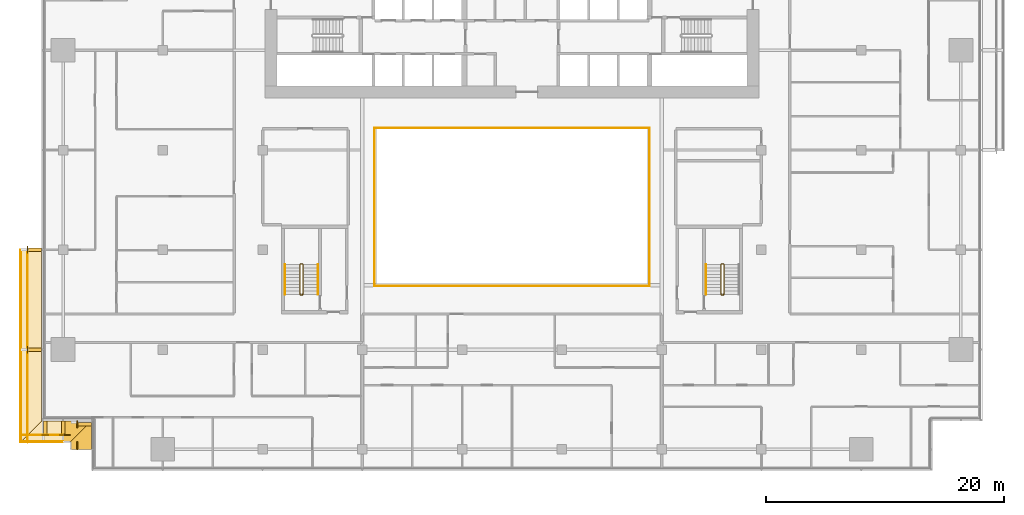
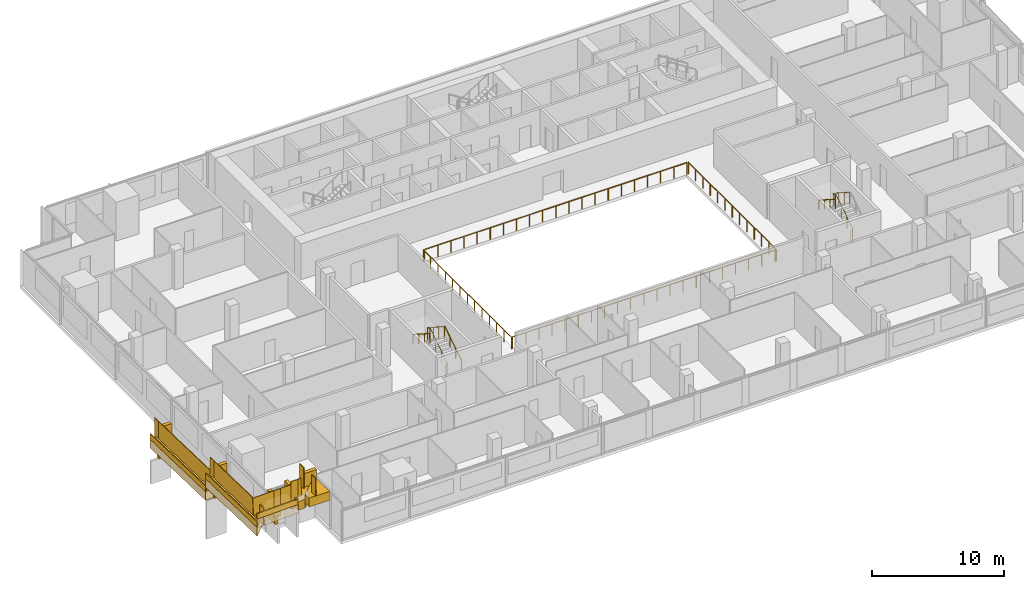
# One storey, part 23 of 27: 19 railings, 13 coverings.
"""IFC4 building model written with IfcOpenShell, lengths in metres."""

import ifcopenshell
import ifcopenshell.guid

model = None  # the IFC model being written
_history = None  # IfcOwnerHistory: only IFC2X3 demands one
_inside = {}  # id of a spatial element -> (the spatial element, [elements in it])
_under = {}  # id of a project, library or spatial element -> (it, [spatial elements below it])
_declared = {}  # id of a project -> (the project, [libraries it declares])
_typed = {}  # id of a type object -> (the type object, [elements of that type])
_made_of = {}  # id of a material, layer set ... -> (it, [elements and type objects made of it])


def new_model(schema):
    """Start an empty IFC model of exactly this schema.

    Asked for "IFC4X3", IfcOpenShell would pick the latest addendum, in which some entities
    have other attributes; the version numbers below select the first issue.
    IFC2X3 requires an IfcOwnerHistory on every rooted entity: one is made here for all.
    """
    global model, _history
    if schema == "IFC4X3":
        model = ifcopenshell.file(schema_version=(4, 3, 0, 0))
    else:
        model = ifcopenshell.file(schema=schema)
    _inside.clear()
    _under.clear()
    _declared.clear()
    _typed.clear()
    _made_of.clear()
    _history = None
    if model.schema == "IFC2X3":
        org = make("IfcOrganization", Name="unknown")
        user = make(
            "IfcPersonAndOrganization",
            ThePerson=make("IfcPerson", FamilyName="unknown"),
            TheOrganization=org,
        )
        app = make(
            "IfcApplication",
            ApplicationDeveloper=org,
            Version="unknown",
            ApplicationFullName="unknown",
            ApplicationIdentifier="unknown",
        )
        _history = make(
            "IfcOwnerHistory",
            OwningUser=user,
            OwningApplication=app,
            ChangeAction="ADDED",
            CreationDate=0,
        )
    return model


def make(cls, **values):
    """One entity of the class cls with the attributes given. An attribute that is None is left unset."""
    return model.create_entity(
        cls, **{name: value for name, value in values.items() if value is not None}
    )


def rooted(cls, **values):
    """An entity with a GlobalId (a new one), such as an element, a storey or a relation."""
    return make(cls, GlobalId=ifcopenshell.guid.new(), OwnerHistory=_history, **values)


def si_unit(unit_type, name, prefix=None):
    """IfcSIUnit, for example si_unit("LENGTHUNIT", "METRE", prefix="MILLI")."""
    return make("IfcSIUnit", UnitType=unit_type, Prefix=prefix, Name=name)


def assignment(units):
    """IfcUnitAssignment: the units of a project."""
    return None if units is None else make("IfcUnitAssignment", Units=units)


def point(xyz):
    """IfcCartesianPoint."""
    return None if xyz is None else make("IfcCartesianPoint", Coordinates=xyz)


def direction(xyz):
    """IfcDirection."""
    return None if xyz is None else make("IfcDirection", DirectionRatios=xyz)


def frame(location, z_axis=None, x_axis=None):
    """IfcAxis2Placement3D, a coordinate frame: its origin and axes. An axis left out is left unset."""
    return make(
        "IfcAxis2Placement3D",
        Location=point(location),
        Axis=direction(z_axis),
        RefDirection=direction(x_axis),
    )


def frame_2d(location, x_axis=None):
    """IfcAxis2Placement2D, a coordinate frame in the plane: its origin and x axis."""
    return make(
        "IfcAxis2Placement2D", Location=point(location), RefDirection=direction(x_axis)
    )


def origin():
    """The frame at (0, 0, 0) with its axes left unset."""
    return frame((0.0, 0.0, 0.0))


def origin_2d():
    """The frame at (0, 0) in the plane with its x axis left unset."""
    return frame_2d((0.0, 0.0))


def place(relative_to, where):
    """IfcLocalPlacement: puts the frame where relative to a parent placement (None: the world)."""
    return make(
        "IfcLocalPlacement", PlacementRelTo=relative_to, RelativePlacement=where
    )


def context(
    kind, dimensions, precision=None, world=None, true_north=None, identifier=None
):
    """IfcGeometricRepresentationContext, for example the 3D "Model" context."""
    return make(
        "IfcGeometricRepresentationContext",
        ContextIdentifier=identifier,
        ContextType=kind,
        CoordinateSpaceDimension=dimensions,
        Precision=precision,
        WorldCoordinateSystem=world,
        TrueNorth=true_north,
    )


def subcontext(parent, identifier, kind, view, scale=None):
    """IfcGeometricRepresentationSubContext, for example "Body" below "Model"."""
    return make(
        "IfcGeometricRepresentationSubContext",
        ContextIdentifier=identifier,
        ContextType=kind,
        ParentContext=parent,
        TargetScale=scale,
        TargetView=view,
    )


def project(units=None, contexts=None):
    """IfcProject with its units and contexts."""
    return rooted(
        "IfcProject",
        Name="project",
        RepresentationContexts=contexts,
        UnitsInContext=assignment(units),
    )


def spatial(cls, under=None, at=None, **own):
    """A site, building, storey or space (cls), placed at a placement, below another one or the project."""
    s = rooted(cls, ObjectPlacement=at, **own)
    if under is not None:
        _under.setdefault(under.id(), (under, []))[1].append(s)
    return s


def polyline(points):
    """IfcPolyline through the points."""
    return make("IfcPolyline", Points=[point(p) for p in points])


def profile(cls, at=None, kind="AREA", **sizes):
    """A parametric profile (cls). Its sizes go by their IFC names, for example OverallWidth=200.0."""
    return make(cls, ProfileType=kind, Position=at, **sizes)


def rectangle(**sizes):
    """IfcRectangleProfileDef."""
    return profile("IfcRectangleProfileDef", **sizes)


def circle(**sizes):
    """IfcCircleProfileDef."""
    return profile("IfcCircleProfileDef", **sizes)


def outline(outer, holes=None, kind="AREA"):
    """IfcArbitraryClosedProfileDef: a profile drawn as a closed curve; with holes, ...WithVoids."""
    if holes is None:
        return make("IfcArbitraryClosedProfileDef", ProfileType=kind, OuterCurve=outer)
    return make(
        "IfcArbitraryProfileDefWithVoids",
        ProfileType=kind,
        OuterCurve=outer,
        InnerCurves=holes,
    )


def extrude(swept, where, along, depth):
    """IfcExtrudedAreaSolid: the profile swept, set in the frame where, extruded along a direction by depth."""
    return make(
        "IfcExtrudedAreaSolid",
        SweptArea=swept,
        Position=where,
        ExtrudedDirection=direction(along),
        Depth=depth,
    )


def shape(context_of_items, identifier, shape_type, items):
    """IfcShapeRepresentation: the items that make up one representation, for example the "Body"."""
    return make(
        "IfcShapeRepresentation",
        ContextOfItems=context_of_items,
        RepresentationIdentifier=identifier,
        RepresentationType=shape_type,
        Items=items,
    )


def material(Name=None, Category=None):
    """IfcMaterial."""
    return make("IfcMaterial", Name=Name, Category=Category)


def layer(
    of_material, thickness, ventilated=None, Name=None, Category=None, Priority=None
):
    """IfcMaterialLayer: one layer of a wall or slab, of a material (None: an air gap)."""
    return make(
        "IfcMaterialLayer",
        Material=of_material,
        LayerThickness=thickness,
        IsVentilated=ventilated,
        Name=Name,
        Category=Category,
        Priority=Priority,
    )


def layer_set(layers, Name=None):
    """IfcMaterialLayerSet."""
    return make("IfcMaterialLayerSet", MaterialLayers=layers, LayerSetName=Name)


def made_of(thing, what):
    """Note that an element or type object is made of a material, layer set ...; save() writes the relation."""
    if what is not None:
        _made_of.setdefault(what.id(), (what, []))[1].append(thing)
    return thing


def type_object(cls, material=None, **own):
    """A type object (cls), such as IfcWallType, which elements share."""
    return made_of(rooted(cls, **own), material)


def element(
    cls,
    number,
    at=None,
    inside=None,
    cuts=None,
    type_object=None,
    material=None,
    context=None,
    identifier="Body",
    shape_type=None,
    held_by="IfcProductDefinitionShape",
    body=None,
    shapes=None,
    **own,
):
    """One element of the class cls, such as IfcWall. Its Tag is "e" and its number.

    at: its placement. inside: the storey or other place that contains it. cuts: it is an
    opening in that element (IfcRelVoidsElement). A single representation is given by context,
    identifier, shape_type and body (its items); several are given by shapes. held_by: the class
    of the entity that holds the representations. save() writes the other relations.
    """
    e = rooted(cls, Tag="e%d" % number, ObjectPlacement=at, **own)
    if body is not None:
        shapes = [shape(context, identifier, shape_type, body)]
    if shapes is not None:
        e.Representation = make(held_by, Representations=shapes)
    if inside is not None:
        _inside.setdefault(inside.id(), (inside, []))[1].append(e)
    if cuts is not None:
        rooted(
            "IfcRelVoidsElement", RelatingBuildingElement=cuts, RelatedOpeningElement=e
        )
    if type_object is not None:
        _typed.setdefault(type_object.id(), (type_object, []))[1].append(e)
    return made_of(e, material)


def aggregate(whole, parts):
    """IfcRelAggregates: a whole, such as a stair, and the parts it consists of."""
    return rooted("IfcRelAggregates", RelatingObject=whole, RelatedObjects=parts)


def save(model, path):
    """Write the relations noted so far, then the file.

    IfcRelAggregates (storeys below a building ...), IfcRelContainedInSpatialStructure (elements
    in a storey), IfcRelDefinesByType, IfcRelAssociatesMaterial and IfcRelDeclares: one each for
    every whole, place, type object, material and project.
    """
    for whole, parts in _under.values():
        aggregate(whole, parts)
    for where, things in _inside.values():
        rooted(
            "IfcRelContainedInSpatialStructure",
            RelatedElements=things,
            RelatingStructure=where,
        )
    for kind, things in _typed.values():
        rooted("IfcRelDefinesByType", RelatedObjects=things, RelatingType=kind)
    for what, things in _made_of.values():
        rooted("IfcRelAssociatesMaterial", RelatedObjects=things, RelatingMaterial=what)
    for by, libraries in _declared.values():
        rooted("IfcRelDeclares", RelatingContext=by, RelatedDefinitions=libraries)
    model.write(path)


model = new_model("IFC4")

# Units and contexts
model_context = context("Model", 3, precision=1e-05, world=origin(), true_north=direction((0.0, 1.0)))
body_context = subcontext(model_context, "Body", "Model", "MODEL_VIEW")
ifc_project = project(units=[si_unit("LENGTHUNIT", "METRE"), si_unit("AREAUNIT", "SQUARE_METRE"), si_unit("VOLUMEUNIT", "CUBIC_METRE"), si_unit("PLANEANGLEUNIT", "RADIAN"), si_unit("MASSUNIT", "GRAM", prefix="KILO")], contexts=[model_context])

# Site, building, storey
site_placement = place(None, origin())
site = spatial("IfcSite", under=ifc_project, at=site_placement, CompositionType="ELEMENT")
building_placement = place(site_placement, origin())
building = spatial("IfcBuilding", under=site, at=building_placement, Name="Saffron Gate Tower", CompositionType="ELEMENT")
storey_placement = place(building_placement, frame((0.0, 0.0, 134.85009765625)))
storey = spatial("IfcBuildingStorey", under=building, at=storey_placement, Name="L32", CompositionType="ELEMENT", Elevation=134.85009765625)

# Railings
ifc_material_1 = material(Name="Stainless steel and laminated glass", Category="steel")
railing_type_1 = type_object("IfcRailingType", Name="AG1 Atrium edge guard 1100", PredefinedType="GUARDRAIL", material=ifc_material_1)
railing_1_placement = place(storey_placement, frame((76.02001953125, 45.5400390625, 0.0)))
element("IfcRailing", 1, at=railing_1_placement, inside=storey, type_object=railing_type_1, Name="Guard B4-1", PredefinedType="GUARDRAIL", context=body_context, shape_type="SweptSolid", body=[
    extrude(circle(Radius=0.02392578125, at=origin_2d()), frame((0.0, 0.0, 1.076171875), z_axis=(0.0, 1.0, 0.0), x_axis=(-1.0, 0.0, 0.0)), (0.0, 0.0, 1.0), 13.320068359375),
    extrude(circle(Radius=0.02099609375, at=origin_2d()), origin(), (0.0, 0.0, 1.0), 1.052001953125),
    extrude(circle(Radius=0.02099609375, at=origin_2d()), frame((0.0, 1.110107421875, 0.0)), (0.0, 0.0, 1.0), 1.052001953125),
    extrude(circle(Radius=0.02099609375, at=origin_2d()), frame((0.0, 2.219970703125, 0.0)), (0.0, 0.0, 1.0), 1.052001953125),
    extrude(circle(Radius=0.02099609375, at=origin_2d()), frame((0.0, 3.330078125, 0.0)), (0.0, 0.0, 1.0), 1.052001953125),
    extrude(circle(Radius=0.02099609375, at=origin_2d()), frame((0.0, 4.43994140625, 0.0)), (0.0, 0.0, 1.0), 1.052001953125),
    extrude(circle(Radius=0.02099609375, at=origin_2d()), frame((0.0, 5.550048828125, 0.0)), (0.0, 0.0, 1.0), 1.052001953125),
    extrude(circle(Radius=0.02099609375, at=origin_2d()), frame((0.0, 6.66015625, 0.0)), (0.0, 0.0, 1.0), 1.052001953125),
    extrude(circle(Radius=0.02099609375, at=origin_2d()), frame((0.0, 7.77001953125, 0.0)), (0.0, 0.0, 1.0), 1.052001953125),
    extrude(circle(Radius=0.02099609375, at=origin_2d()), frame((0.0, 8.880126953125, 0.0)), (0.0, 0.0, 1.0), 1.052001953125),
    extrude(circle(Radius=0.02099609375, at=origin_2d()), frame((0.0, 9.989990234375, 0.0)), (0.0, 0.0, 1.0), 1.052001953125),
    extrude(circle(Radius=0.02099609375, at=origin_2d()), frame((0.0, 11.10009765625, 0.0)), (0.0, 0.0, 1.0), 1.052001953125),
    extrude(circle(Radius=0.02099609375, at=origin_2d()), frame((0.0, 12.2099609375, 0.0)), (0.0, 0.0, 1.0), 1.052001953125),
    extrude(circle(Radius=0.02099609375, at=origin_2d()), frame((0.0, 13.320068359375, 0.0)), (0.0, 0.0, 1.0), 1.052001953125),
])
railing_2_placement = place(storey_placement, frame((76.139892578125, 58.860107421875, 0.0)))
element("IfcRailing", 2, at=railing_2_placement, inside=storey, type_object=railing_type_1, Name="Guard B4-2", PredefinedType="GUARDRAIL", context=body_context, shape_type="SweptSolid", body=[
    extrude(circle(Radius=0.02392578125, at=origin_2d()), frame((0.0, 0.0, 1.076171875), z_axis=(1.0, 0.0, 0.0), x_axis=(0.0, 1.0, 0.0)), (0.0, 0.0, 1.0), 22.920166015625),
    extrude(circle(Radius=0.02099609375, at=origin_2d()), origin(), (0.0, 0.0, 1.0), 1.052001953125),
    extrude(circle(Radius=0.02099609375, at=origin_2d()), frame((1.14599609375, 0.0, 0.0)), (0.0, 0.0, 1.0), 1.052001953125),
    extrude(circle(Radius=0.02099609375, at=origin_2d()), frame((2.2919921875, 0.0, 0.0)), (0.0, 0.0, 1.0), 1.052001953125),
    extrude(circle(Radius=0.02099609375, at=origin_2d()), frame((3.43798828125, 0.0, 0.0)), (0.0, 0.0, 1.0), 1.052001953125),
    extrude(circle(Radius=0.02099609375, at=origin_2d()), frame((4.583984375, 0.0, 0.0)), (0.0, 0.0, 1.0), 1.052001953125),
    extrude(circle(Radius=0.02099609375, at=origin_2d()), frame((5.72998046875, 0.0, 0.0)), (0.0, 0.0, 1.0), 1.052001953125),
    extrude(circle(Radius=0.02099609375, at=origin_2d()), frame((6.8759765625, 0.0, 0.0)), (0.0, 0.0, 1.0), 1.052001953125),
    extrude(circle(Radius=0.02099609375, at=origin_2d()), frame((8.02197265625, 0.0, 0.0)), (0.0, 0.0, 1.0), 1.052001953125),
    extrude(circle(Radius=0.02099609375, at=origin_2d()), frame((9.16796875, 0.0, 0.0)), (0.0, 0.0, 1.0), 1.052001953125),
    extrude(circle(Radius=0.02099609375, at=origin_2d()), frame((10.31396484375, 0.0, 0.0)), (0.0, 0.0, 1.0), 1.052001953125),
    extrude(circle(Radius=0.02099609375, at=origin_2d()), frame((11.4599609375, 0.0, 0.0)), (0.0, 0.0, 1.0), 1.052001953125),
    extrude(circle(Radius=0.02099609375, at=origin_2d()), frame((12.606201171875, 0.0, 0.0)), (0.0, 0.0, 1.0), 1.052001953125),
    extrude(circle(Radius=0.02099609375, at=origin_2d()), frame((13.752197265625, 0.0, 0.0)), (0.0, 0.0, 1.0), 1.052001953125),
    extrude(circle(Radius=0.02099609375, at=origin_2d()), frame((14.898193359375, 0.0, 0.0)), (0.0, 0.0, 1.0), 1.052001953125),
    extrude(circle(Radius=0.02099609375, at=origin_2d()), frame((16.044189453125, 0.0, 0.0)), (0.0, 0.0, 1.0), 1.052001953125),
    extrude(circle(Radius=0.02099609375, at=origin_2d()), frame((17.190185546875, 0.0, 0.0)), (0.0, 0.0, 1.0), 1.052001953125),
    extrude(circle(Radius=0.02099609375, at=origin_2d()), frame((18.336181640625, 0.0, 0.0)), (0.0, 0.0, 1.0), 1.052001953125),
    extrude(circle(Radius=0.02099609375, at=origin_2d()), frame((19.482177734375, 0.0, 0.0)), (0.0, 0.0, 1.0), 1.052001953125),
    extrude(circle(Radius=0.02099609375, at=origin_2d()), frame((20.628173828125, 0.0, 0.0)), (0.0, 0.0, 1.0), 1.052001953125),
    extrude(circle(Radius=0.02099609375, at=origin_2d()), frame((21.774169921875, 0.0, 0.0)), (0.0, 0.0, 1.0), 1.052001953125),
    extrude(circle(Radius=0.02099609375, at=origin_2d()), frame((22.920166015625, 0.0, 0.0)), (0.0, 0.0, 1.0), 1.052001953125),
])
railing_3_placement = place(storey_placement, frame((99.179931640625, 58.860107421875, 0.0)))
element("IfcRailing", 3, at=railing_3_placement, inside=storey, type_object=railing_type_1, Name="Guard B4-3", PredefinedType="GUARDRAIL", context=body_context, shape_type="SweptSolid", body=[
    extrude(circle(Radius=0.02392578125, at=origin_2d()), frame((0.0, 0.0, 1.076171875), z_axis=(0.0, -1.0, 0.0), x_axis=(1.0, 0.0, 0.0)), (0.0, 0.0, 1.0), 13.320068359375),
    extrude(circle(Radius=0.02099609375, at=origin_2d()), origin(), (0.0, 0.0, 1.0), 1.052001953125),
    extrude(circle(Radius=0.02099609375, at=origin_2d()), frame((0.0, -1.110107421875, 0.0)), (0.0, 0.0, 1.0), 1.052001953125),
    extrude(circle(Radius=0.02099609375, at=origin_2d()), frame((0.0, -2.219970703125, 0.0)), (0.0, 0.0, 1.0), 1.052001953125),
    extrude(circle(Radius=0.02099609375, at=origin_2d()), frame((0.0, -3.330078125, 0.0)), (0.0, 0.0, 1.0), 1.052001953125),
    extrude(circle(Radius=0.02099609375, at=origin_2d()), frame((0.0, -4.43994140625, 0.0)), (0.0, 0.0, 1.0), 1.052001953125),
    extrude(circle(Radius=0.02099609375, at=origin_2d()), frame((0.0, -5.550048828125, 0.0)), (0.0, 0.0, 1.0), 1.052001953125),
    extrude(circle(Radius=0.02099609375, at=origin_2d()), frame((0.0, -6.66015625, 0.0)), (0.0, 0.0, 1.0), 1.052001953125),
    extrude(circle(Radius=0.02099609375, at=origin_2d()), frame((0.0, -7.77001953125, 0.0)), (0.0, 0.0, 1.0), 1.052001953125),
    extrude(circle(Radius=0.02099609375, at=origin_2d()), frame((0.0, -8.880126953125, 0.0)), (0.0, 0.0, 1.0), 1.052001953125),
    extrude(circle(Radius=0.02099609375, at=origin_2d()), frame((0.0, -9.989990234375, 0.0)), (0.0, 0.0, 1.0), 1.052001953125),
    extrude(circle(Radius=0.02099609375, at=origin_2d()), frame((0.0, -11.10009765625, 0.0)), (0.0, 0.0, 1.0), 1.052001953125),
    extrude(circle(Radius=0.02099609375, at=origin_2d()), frame((0.0, -12.2099609375, 0.0)), (0.0, 0.0, 1.0), 1.052001953125),
    extrude(circle(Radius=0.02099609375, at=origin_2d()), frame((0.0, -13.320068359375, 0.0)), (0.0, 0.0, 1.0), 1.052001953125),
])
railing_4_placement = place(storey_placement, frame((99.06005859375, 45.5400390625, 0.0)))
element("IfcRailing", 4, at=railing_4_placement, inside=storey, type_object=railing_type_1, Name="Guard B4-4", PredefinedType="GUARDRAIL", context=body_context, shape_type="SweptSolid", body=[
    extrude(circle(Radius=0.02392578125, at=origin_2d()), frame((0.0, 0.0, 1.076171875), z_axis=(-1.0, 0.0, 0.0), x_axis=(0.0, -1.0, 0.0)), (0.0, 0.0, 1.0), 22.920166015625),
    extrude(circle(Radius=0.02099609375, at=origin_2d()), origin(), (0.0, 0.0, 1.0), 1.052001953125),
    extrude(circle(Radius=0.02099609375, at=origin_2d()), frame((-1.14599609375, 0.0, 0.0)), (0.0, 0.0, 1.0), 1.052001953125),
    extrude(circle(Radius=0.02099609375, at=origin_2d()), frame((-2.2919921875, 0.0, 0.0)), (0.0, 0.0, 1.0), 1.052001953125),
    extrude(circle(Radius=0.02099609375, at=origin_2d()), frame((-3.43798828125, 0.0, 0.0)), (0.0, 0.0, 1.0), 1.052001953125),
    extrude(circle(Radius=0.02099609375, at=origin_2d()), frame((-4.583984375, 0.0, 0.0)), (0.0, 0.0, 1.0), 1.052001953125),
    extrude(circle(Radius=0.02099609375, at=origin_2d()), frame((-5.72998046875, 0.0, 0.0)), (0.0, 0.0, 1.0), 1.052001953125),
    extrude(circle(Radius=0.02099609375, at=origin_2d()), frame((-6.8759765625, 0.0, 0.0)), (0.0, 0.0, 1.0), 1.052001953125),
    extrude(circle(Radius=0.02099609375, at=origin_2d()), frame((-8.02197265625, 0.0, 0.0)), (0.0, 0.0, 1.0), 1.052001953125),
    extrude(circle(Radius=0.02099609375, at=origin_2d()), frame((-9.16796875, 0.0, 0.0)), (0.0, 0.0, 1.0), 1.052001953125),
    extrude(circle(Radius=0.02099609375, at=origin_2d()), frame((-10.31396484375, 0.0, 0.0)), (0.0, 0.0, 1.0), 1.052001953125),
    extrude(circle(Radius=0.02099609375, at=origin_2d()), frame((-11.4599609375, 0.0, 0.0)), (0.0, 0.0, 1.0), 1.052001953125),
    extrude(circle(Radius=0.02099609375, at=origin_2d()), frame((-12.606201171875, 0.0, 0.0)), (0.0, 0.0, 1.0), 1.052001953125),
    extrude(circle(Radius=0.02099609375, at=origin_2d()), frame((-13.752197265625, 0.0, 0.0)), (0.0, 0.0, 1.0), 1.052001953125),
    extrude(circle(Radius=0.02099609375, at=origin_2d()), frame((-14.898193359375, 0.0, 0.0)), (0.0, 0.0, 1.0), 1.052001953125),
    extrude(circle(Radius=0.02099609375, at=origin_2d()), frame((-16.044189453125, 0.0, 0.0)), (0.0, 0.0, 1.0), 1.052001953125),
    extrude(circle(Radius=0.02099609375, at=origin_2d()), frame((-17.190185546875, 0.0, 0.0)), (0.0, 0.0, 1.0), 1.052001953125),
    extrude(circle(Radius=0.02099609375, at=origin_2d()), frame((-18.336181640625, 0.0, 0.0)), (0.0, 0.0, 1.0), 1.052001953125),
    extrude(circle(Radius=0.02099609375, at=origin_2d()), frame((-19.482177734375, 0.0, 0.0)), (0.0, 0.0, 1.0), 1.052001953125),
    extrude(circle(Radius=0.02099609375, at=origin_2d()), frame((-20.628173828125, 0.0, 0.0)), (0.0, 0.0, 1.0), 1.052001953125),
    extrude(circle(Radius=0.02099609375, at=origin_2d()), frame((-21.774169921875, 0.0, 0.0)), (0.0, 0.0, 1.0), 1.052001953125),
    extrude(circle(Radius=0.02099609375, at=origin_2d()), frame((-22.920166015625, 0.0, 0.0)), (0.0, 0.0, 1.0), 1.052001953125),
])
railing_type_2 = type_object("IfcRailingType", Name="CR1 Stair guard 1100", PredefinedType="GUARDRAIL", material=ifc_material_1)
railing_5_placement = place(storey_placement, frame((69.800048828125, 44.800048828125, 0.0)))
element("IfcRailing", 5, at=railing_5_placement, inside=storey, type_object=railing_type_2, Name="L32 ST-D stair guard 1", PredefinedType="GUARDRAIL", context=body_context, shape_type="SweptSolid", body=[
    extrude(circle(Radius=0.02392578125, at=origin_2d()), frame((0.0, 0.0, 1.076171875), z_axis=(1.0, 0.0, 0.0), x_axis=(0.0, 1.0, 0.0)), (0.0, 0.0, 1.0), 0.14990234375),
    extrude(circle(Radius=0.02392578125, at=origin_2d()), frame((0.14990234375, 0.0, 1.076171875), z_axis=(0.258847668887, 0.258847668887, 0.930588936439), x_axis=(-0.707106781187, 0.707106781187, 0.0)), (0.0, 0.0, 1.0), 0.193359375),
    extrude(circle(Radius=0.02392578125, at=origin_2d()), frame((0.199951171875, 0.050048828125, 1.255859375), z_axis=(0.0, 0.841199657755, 0.540724639528), x_axis=(-1.0, 0.0, 0.0)), (0.0, 0.0, 1.0), 2.995849609375),
    extrude(circle(Radius=0.02392578125, at=origin_2d()), frame((0.199951171875, 2.570068359375, 2.8759765625), z_axis=(-0.708833529934, 0.705375805398, 0.0), x_axis=(-0.705375805398, -0.708833529934, 0.0)), (0.0, 0.0, 1.0), 0.070556640625),
    extrude(circle(Radius=0.02392578125, at=origin_2d()), frame((0.14990234375, 2.619873046875, 2.8759765625), z_axis=(-1.0, 0.0, 0.0), x_axis=(0.0, -1.0, 0.0)), (0.0, 0.0, 1.0), 0.14990234375),
    extrude(circle(Radius=0.02392578125, at=origin_2d()), frame((0.0, 2.619873046875, 2.8759765625), z_axis=(-0.258627984543, -0.257366384619, 0.931060744355), x_axis=(0.705375805398, -0.708833529934, 0.0)), (0.0, 0.0, 1.0), 0.193603515625),
    extrude(circle(Radius=0.02392578125, at=origin_2d()), frame((-0.050048828125, 2.570068359375, 3.05615234375), z_axis=(0.0, -0.841199657755, 0.540724639528), x_axis=(1.0, 0.0, 0.0)), (0.0, 0.0, 1.0), 2.995849609375),
    extrude(circle(Radius=0.02099609375, at=origin_2d()), origin(), (0.0, 0.0, 1.0), 1.052001953125),
    extrude(circle(Radius=0.02099609375, at=origin_2d()), frame((0.14990234375, 0.0, 0.0)), (0.0, 0.0, 1.0), 1.052001953125),
    extrude(circle(Radius=0.02099609375, at=origin_2d()), frame((0.199951171875, 0.050048828125, 0.179931640625)), (0.0, 0.0, 1.0), 1.052001953125),
    extrude(circle(Radius=0.02099609375, at=origin_2d()), frame((0.199951171875, 0.89013671875, 0.719970703125)), (0.0, 0.0, 1.0), 1.052001953125),
    extrude(circle(Radius=0.02099609375, at=origin_2d()), frame((0.199951171875, 1.72998046875, 1.259765625)), (0.0, 0.0, 1.0), 1.052001953125),
    extrude(circle(Radius=0.02099609375, at=origin_2d()), frame((0.199951171875, 2.570068359375, 1.7998046875)), (0.0, 0.0, 1.0), 1.052001953125),
    extrude(circle(Radius=0.02099609375, at=origin_2d()), frame((0.14990234375, 2.619873046875, 1.7998046875)), (0.0, 0.0, 1.0), 1.052001953125),
    extrude(circle(Radius=0.02099609375, at=origin_2d()), frame((0.0, 2.619873046875, 1.7998046875)), (0.0, 0.0, 1.0), 1.052001953125),
    extrude(circle(Radius=0.02099609375, at=origin_2d()), frame((-0.050048828125, 2.570068359375, 1.97998046875)), (0.0, 0.0, 1.0), 1.052001953125),
    extrude(circle(Radius=0.02099609375, at=origin_2d()), frame((-0.050048828125, 1.72998046875, 2.52001953125)), (0.0, 0.0, 1.0), 1.052001953125),
    extrude(circle(Radius=0.02099609375, at=origin_2d()), frame((-0.050048828125, 0.89013671875, 3.059814453125)), (0.0, 0.0, 1.0), 1.052001953125),
    extrude(circle(Radius=0.02099609375, at=origin_2d()), frame((-0.050048828125, 0.050048828125, 3.599853515625)), (0.0, 0.0, 1.0), 1.052001953125),
])
railing_6_placement = place(storey_placement, frame((105.25, 44.800048828125, 0.0)))
element("IfcRailing", 6, at=railing_6_placement, inside=storey, type_object=railing_type_2, Name="L32 ST-E stair guard 1", PredefinedType="GUARDRAIL", context=body_context, shape_type="SweptSolid", body=[
    extrude(circle(Radius=0.02392578125, at=origin_2d()), frame((0.0, 0.0, 1.076171875), z_axis=(1.0, 0.0, 0.0), x_axis=(0.0, 1.0, 0.0)), (0.0, 0.0, 1.0), 0.14990234375),
    extrude(circle(Radius=0.02392578125, at=origin_2d()), frame((0.14990234375, 0.0, 1.076171875), z_axis=(0.258847668887, 0.258847668887, 0.930588936439), x_axis=(-0.707106781187, 0.707106781187, 0.0)), (0.0, 0.0, 1.0), 0.193359375),
    extrude(circle(Radius=0.02392578125, at=origin_2d()), frame((0.199951171875, 0.050048828125, 1.255859375), z_axis=(0.0, 0.841199657755, 0.540724639528), x_axis=(-1.0, 0.0, 0.0)), (0.0, 0.0, 1.0), 2.995849609375),
    extrude(circle(Radius=0.02392578125, at=origin_2d()), frame((0.199951171875, 2.570068359375, 2.8759765625), z_axis=(-0.708833529934, 0.705375805398, 0.0), x_axis=(-0.705375805398, -0.708833529934, 0.0)), (0.0, 0.0, 1.0), 0.070556640625),
    extrude(circle(Radius=0.02392578125, at=origin_2d()), frame((0.14990234375, 2.619873046875, 2.8759765625), z_axis=(-1.0, 0.0, 0.0), x_axis=(0.0, -1.0, 0.0)), (0.0, 0.0, 1.0), 0.14990234375),
    extrude(circle(Radius=0.02392578125, at=origin_2d()), frame((0.0, 2.619873046875, 2.8759765625), z_axis=(-0.258627984543, -0.257366384619, 0.931060744355), x_axis=(0.705375805398, -0.708833529934, 0.0)), (0.0, 0.0, 1.0), 0.193603515625),
    extrude(circle(Radius=0.02392578125, at=origin_2d()), frame((-0.050048828125, 2.570068359375, 3.05615234375), z_axis=(0.0, -0.841199657755, 0.540724639528), x_axis=(1.0, 0.0, 0.0)), (0.0, 0.0, 1.0), 2.995849609375),
    extrude(circle(Radius=0.02099609375, at=origin_2d()), origin(), (0.0, 0.0, 1.0), 1.052001953125),
    extrude(circle(Radius=0.02099609375, at=origin_2d()), frame((0.14990234375, 0.0, 0.0)), (0.0, 0.0, 1.0), 1.052001953125),
    extrude(circle(Radius=0.02099609375, at=origin_2d()), frame((0.199951171875, 0.050048828125, 0.179931640625)), (0.0, 0.0, 1.0), 1.052001953125),
    extrude(circle(Radius=0.02099609375, at=origin_2d()), frame((0.199951171875, 0.89013671875, 0.719970703125)), (0.0, 0.0, 1.0), 1.052001953125),
    extrude(circle(Radius=0.02099609375, at=origin_2d()), frame((0.199951171875, 1.72998046875, 1.259765625)), (0.0, 0.0, 1.0), 1.052001953125),
    extrude(circle(Radius=0.02099609375, at=origin_2d()), frame((0.199951171875, 2.570068359375, 1.7998046875)), (0.0, 0.0, 1.0), 1.052001953125),
    extrude(circle(Radius=0.02099609375, at=origin_2d()), frame((0.14990234375, 2.619873046875, 1.7998046875)), (0.0, 0.0, 1.0), 1.052001953125),
    extrude(circle(Radius=0.02099609375, at=origin_2d()), frame((0.0, 2.619873046875, 1.7998046875)), (0.0, 0.0, 1.0), 1.052001953125),
    extrude(circle(Radius=0.02099609375, at=origin_2d()), frame((-0.050048828125, 2.570068359375, 1.97998046875)), (0.0, 0.0, 1.0), 1.052001953125),
    extrude(circle(Radius=0.02099609375, at=origin_2d()), frame((-0.050048828125, 1.72998046875, 2.52001953125)), (0.0, 0.0, 1.0), 1.052001953125),
    extrude(circle(Radius=0.02099609375, at=origin_2d()), frame((-0.050048828125, 0.89013671875, 3.059814453125)), (0.0, 0.0, 1.0), 1.052001953125),
    extrude(circle(Radius=0.02099609375, at=origin_2d()), frame((-0.050048828125, 0.050048828125, 3.599853515625)), (0.0, 0.0, 1.0), 1.052001953125),
])
ifc_material_2 = material(Name="Stainless steel", Category="steel")
railing_type_3 = type_object("IfcRailingType", Name="CR2 Stair handrail 900", PredefinedType="HANDRAIL", material=ifc_material_2)
railing_7_placement = place(storey_placement, frame((71.25, 44.85009765625, 0.179931640625)))
element("IfcRailing", 7, at=railing_7_placement, inside=storey, type_object=railing_type_3, Name="L32 ST-D stair handrail 1", PredefinedType="HANDRAIL", context=body_context, shape_type="SweptSolid", body=[
    extrude(circle(Radius=0.02392578125, at=origin_2d()), frame((0.0, 0.0, 0.8759765625), z_axis=(0.0, 0.841199657755, 0.540724639528), x_axis=(-1.0, 0.0, 0.0)), (0.0, 0.0, 1.0), 2.995849609375),
    extrude(circle(Radius=0.02099609375, at=origin_2d()), origin(), (0.0, 0.0, 1.0), 0.851806640625),
    extrude(circle(Radius=0.02099609375, at=origin_2d()), frame((0.0, 0.840087890625, 0.5400390625)), (0.0, 0.0, 1.0), 0.851806640625),
    extrude(circle(Radius=0.02099609375, at=origin_2d()), frame((0.0, 1.679931640625, 1.079833984375)), (0.0, 0.0, 1.0), 0.851806640625),
    extrude(circle(Radius=0.02099609375, at=origin_2d()), frame((0.0, 2.52001953125, 1.619873046875)), (0.0, 0.0, 1.0), 0.851806640625),
])
for number, where, name in (
    (8, (68.5, 47.3701171875, 1.97998046875), "L32 ST-D stair handrail 2"),
    (9, (103.949951171875, 47.3701171875, 1.97998046875), "L32 ST-E stair handrail 2"),
):
    element("IfcRailing", number, at=place(storey_placement, frame(where)), inside=storey, type_object=railing_type_3, Name=name, PredefinedType="HANDRAIL", context=body_context, shape_type="SweptSolid", body=[
        extrude(circle(Radius=0.02392578125, at=origin_2d()), frame((0.0, 0.0, 0.8759765625), z_axis=(0.0, -0.841199657755, 0.540724639528), x_axis=(1.0, 0.0, 0.0)), (0.0, 0.0, 1.0), 2.995849609375),
        extrude(circle(Radius=0.02099609375, at=origin_2d()), origin(), (0.0, 0.0, 1.0), 0.851806640625),
        extrude(circle(Radius=0.02099609375, at=origin_2d()), frame((0.0, -0.840087890625, 0.5400390625)), (0.0, 0.0, 1.0), 0.851806640625),
        extrude(circle(Radius=0.02099609375, at=origin_2d()), frame((0.0, -1.679931640625, 1.079833984375)), (0.0, 0.0, 1.0), 0.851806640625),
        extrude(circle(Radius=0.02099609375, at=origin_2d()), frame((0.0, -2.52001953125, 1.619873046875)), (0.0, 0.0, 1.0), 0.851806640625),
    ])

# Coverings
ifc_material_3 = material(Name="Timber, thermally modified ash", Category="wood")
ifc_layer_1 = layer(ifc_material_3, 0.800048828125)
ifc_layer_set_1 = layer_set([ifc_layer_1], Name="LD1 ledge timber")
covering_type_1 = type_object("IfcCoveringType", Name="LD1 ledge timber", PredefinedType="CLADDING", material=ifc_layer_set_1)
covering_1_placement = place(storey_placement, frame((48.0, 48.60009765625, 0.242919921875), z_axis=(0.0, 0.028819366951, 0.999584635781), x_axis=(0.0, -0.999584635781, 0.028819366951)))
element("IfcCovering", 10, at=covering_1_placement, inside=storey, type_object=covering_type_1, Name="LEDGE", PredefinedType="CLADDING", context=body_context, shape_type="SweptSolid", body=[
    extrude(outline(polyline([(0.0, 0.0), (8.403637054520734, 0.0), (8.403637054520734, -1.800048828125), (0.0, -1.800048828125), (0.0, 0.0)])), origin(), (0.0, 0.0, -1.0), 0.800048828125),
])
covering_2_placement = place(storey_placement, frame((48.0, 40.199951171875, 1.685302734375), z_axis=(3.5027307e-05, 0.028807146299, 0.99958498743), x_axis=(3.68e-10, -0.999584988043, 0.028807146316)))
element("IfcCovering", 11, at=covering_2_placement, inside=storey, type_object=covering_type_1, Name="LEDGE", PredefinedType="CLADDING", context=body_context, shape_type="SweptSolid", body=[
    extrude(outline(polyline([(0.0, 0.0), (6.0024892885105, -2.541098841762901e-21), (7.8032891020589235, -1.8000488321003227), (-6.622937652878055e-10, -1.8000488270207489), (0.0, 0.0)])), origin(), (0.0, 0.0, -1.0), 0.800048828125),
])
covering_3_placement = place(storey_placement, frame((48.0, 34.199951171875, 2.715576171875), z_axis=(-0.028741681402, 0.0, 0.999586872538), x_axis=(0.999586872538, 0.0, 0.028741681402)))
element("IfcCovering", 12, at=covering_3_placement, inside=storey, type_object=covering_type_1, Name="LEDGE", PredefinedType="CLADDING", context=body_context, shape_type="SweptSolid", body=[
    extrude(outline(polyline([(0.0, 0.0), (1.8007927850779974, 0.0), (1.8007927850779974, -1.800048828125), (-1.8007927850779974, -1.800048828125), (0.0, 0.0)])), origin(), (0.0, 0.0, -1.0), 0.800048828125),
])
covering_4_placement = place(storey_placement, frame((49.800048828125, 34.199951171875, 3.024658203125), z_axis=(-0.028798988267, 2.8677152e-05, 0.999585222706), x_axis=(0.999585223117, 6.17e-10, 0.028798988279)))
element("IfcCovering", 13, at=covering_4_placement, inside=storey, type_object=covering_type_1, Name="LEDGE", PredefinedType="CLADDING", context=body_context, shape_type="SweptSolid", body=[
    extrude(outline(polyline([(0.0, 0.0), (2.400896693585025, 4.235164736271502e-22), (0.6001039103565923, -1.8000488292351675), (-1.1098572600196767e-09, -1.8000488273848385), (0.0, 0.0)])), origin(), (0.0, 0.0, -1.0), 0.800048828125),
])
covering_5_placement = place(storey_placement, frame((52.199951171875, 34.199951171875, 3.436767578125), z_axis=(-2.8677152e-05, 0.028798988267, 0.999585222706), x_axis=(-6.17e-10, -0.999585223117, 0.028798988279)))
element("IfcCovering", 14, at=covering_5_placement, inside=storey, type_object=covering_type_1, Name="LEDGE", PredefinedType="CLADDING", context=body_context, shape_type="SweptSolid", body=[
    extrude(outline(polyline([(0.0, 0.0), (2.400896693585025, -4.235164736271502e-22), (2.400896694694882, -1.8000488273848385), (1.8007927832284332, -1.8000488292351673), (0.0, 0.0)])), origin(), (0.0, 0.0, -1.0), 0.800048828125),
])
ifc_layer_2 = layer(ifc_material_3, 0.080078125)
ifc_layer_set_2 = layer_set([ifc_layer_2], Name="LD2 ledge planter trough")
covering_type_2 = type_object("IfcCoveringType", Name="LD2 ledge planter trough", PredefinedType="CLADDING", material=ifc_layer_set_2)
covering_6_placement = place(storey_placement, frame((46.199951171875, 48.60009765625, 0.242919921875), z_axis=(-1.0, 0.0, 0.0), x_axis=(0.0, -0.999584635781, 0.028819366951)))
element("IfcCovering", 15, at=covering_6_placement, inside=storey, type_object=covering_type_2, Name="LEDGE planter trough", PredefinedType="CLADDING", context=body_context, shape_type="SweptSolid", body=[
    extrude(outline(polyline([(0.0, 0.0), (8.403637054520734, 2.7755575615628914e-17), (8.418046737996397, 0.49979231789027256), (0.014409683475663392, 0.4997923178902725), (0.0, 0.0)])), origin(), (0.0, 0.0, -1.0), 0.080078125),
])
covering_7_placement = place(storey_placement, frame((46.199951171875, 40.199951171875, 1.685302734375), z_axis=(-1.0, 0.0, 0.0), x_axis=(0.0, -0.999584755248, 0.028815222999)))
element("IfcCovering", 16, at=covering_7_placement, inside=storey, type_object=covering_type_2, Name="LEDGE planter trough", PredefinedType="CLADDING", context=body_context, shape_type="SweptSolid", body=[
    extrude(outline(polyline([(0.0, 0.0), (7.803289102975944, 0.0), (7.8176967144752565, 0.4997923776238338), (0.014407611499312996, 0.4997923776238338), (0.0, 0.0)])), origin(), (0.0, 0.0, -1.0), 0.080078125),
])
covering_8_placement = place(storey_placement, frame((46.199951171875, 32.39990234375, 2.663818359375), z_axis=(0.0, -1.0, 0.0), x_axis=(0.999586872538, 0.0, 0.028741681402)))
element("IfcCovering", 17, at=covering_8_placement, inside=storey, type_object=covering_type_2, Name="LEDGE planter trough", PredefinedType="CLADDING", context=body_context, shape_type="SweptSolid", body=[
    extrude(outline(polyline([(0.0, 0.0), (3.601585570155995, 0.0), (3.6159564108570694, 0.49979343626896944), (0.014370840701074394, 0.4997934362689694), (0.0, 0.0)])), origin(), (0.0, 0.0, -1.0), 0.080078125),
])
ifc_layer_3 = layer(ifc_material_3, 0.300048828125)
ifc_layer_set_3 = layer_set([ifc_layer_3], Name="LD3 ledge riser fin")
covering_type_3 = type_object("IfcCoveringType", Name="LD3 ledge riser fin", PredefinedType="CLADDING", material=ifc_layer_set_3)
for number, where, z_axis, x_axis, name in (
    (18, (47.43994140625, 48.60009765625, -1.75732421875), (0.0, 0.0, 1.0), (0.0, -1.0, 0.0), "LEDGE riser fin"),
    (19, (47.43994140625, 40.199951171875, -0.31494140625), (0.0, 0.0, 1.0), (0.0, -1.0, 0.0), "LEDGE riser fin"),
):
    element("IfcCovering", number, at=place(storey_placement, frame(where, z_axis=z_axis, x_axis=x_axis)), inside=storey, type_object=covering_type_3, Name=name, PredefinedType="CLADDING", context=body_context, shape_type="SweptSolid", body=[
        extrude(rectangle(XDim=0.300048828125, YDim=1.1201171875, at=origin_2d()), origin(), (0.0, 0.0, 1.0), 2.900390625),
    ])
covering_9_placement = place(storey_placement, frame((48.300048828125, 33.639892578125, 1.05810546875), z_axis=(0.0, 0.0, 1.0), x_axis=(1.0, 0.0, 0.0)))
element("IfcCovering", 20, at=covering_9_placement, inside=storey, type_object=covering_type_3, Name="LEDGE riser fin", PredefinedType="CLADDING", context=body_context, shape_type="SweptSolid", body=[
    extrude(rectangle(XDim=0.300048828125, YDim=1.1201171875, at=origin_2d()), origin(), (0.0, 0.0, 1.0), 2.557373046875),
])
covering_10_placement = place(storey_placement, frame((49.800048828125, 33.639892578125, 1.96728515625), z_axis=(0.0, 0.0, 1.0), x_axis=(1.0, 0.0, 0.0)))
element("IfcCovering", 21, at=covering_10_placement, inside=storey, type_object=covering_type_3, Name="LEDGE riser fin", PredefinedType="CLADDING", context=body_context, shape_type="SweptSolid", body=[
    extrude(rectangle(XDim=0.300048828125, YDim=1.1201171875, at=origin_2d()), origin(), (0.0, 0.0, 1.0), 1.957275390625),
])
covering_11_placement = place(storey_placement, frame((51.639892578125, 33.89990234375, 2.293701171875), z_axis=(0.0, 0.0, 1.0), x_axis=(0.0, -1.0, 0.0)))
element("IfcCovering", 22, at=covering_11_placement, inside=storey, type_object=covering_type_3, Name="LEDGE riser fin", PredefinedType="CLADDING", context=body_context, shape_type="SweptSolid", body=[
    extrude(rectangle(XDim=0.300048828125, YDim=1.1201171875, at=origin_2d()), origin(), (0.0, 0.0, 1.0), 2.04296875),
])

# Railings
railing_type_4 = type_object("IfcRailingType", Name="LG1 ledge balustrade", PredefinedType="BALUSTRADE", material=ifc_material_3)
railing_8_placement = place(storey_placement, frame((46.800048828125, 48.60009765625, 0.242919921875)))
element("IfcRailing", 23, at=railing_8_placement, inside=storey, type_object=railing_type_4, Name="LEDGE BALUSTRADE", PredefinedType="BALUSTRADE", context=body_context, shape_type="SweptSolid", body=[
    extrude(rectangle(XDim=0.06005859375, YDim=1.60009765625, at=origin_2d()), frame((0.0, 0.0, 0.800048828125), z_axis=(0.0, -0.999584635781, 0.028819366951), x_axis=(1.0, 0.0, 0.0)), (0.0, 0.0, 1.0), 8.403564453125),
])
railing_9_placement = place(storey_placement, frame((46.800048828125, 48.89990234375, -0.957275390625)))
element("IfcRailing", 24, at=railing_9_placement, inside=storey, type_object=railing_type_4, Name="LEDGE BALUSTRADE", PredefinedType="BALUSTRADE", context=body_context, shape_type="SweptSolid", body=[
    extrude(rectangle(XDim=0.06005859375, YDim=2.80029296875, at=origin_2d()), frame((0.0, 0.0, 1.400146484375), z_axis=(0.0, -1.0, 0.0), x_axis=(1.0, 0.0, 0.0)), (0.0, 0.0, 1.0), 0.599853515625),
])
railing_10_placement = place(storey_placement, frame((46.800048828125, 40.199951171875, 1.685302734375)))
element("IfcRailing", 25, at=railing_10_placement, inside=storey, type_object=railing_type_4, Name="LEDGE BALUSTRADE", PredefinedType="BALUSTRADE", context=body_context, shape_type="SweptSolid", body=[
    extrude(rectangle(XDim=0.06005859375, YDim=1.60009765625, at=origin_2d()), frame((0.0, 0.0, 0.800048828125), z_axis=(0.0, -0.999584755248, 0.028815222999), x_axis=(1.0, 0.0, 0.0)), (0.0, 0.0, 1.0), 7.80322265625),
])
railing_11_placement = place(storey_placement, frame((46.800048828125, 40.5, 0.485107421875)))
element("IfcRailing", 26, at=railing_11_placement, inside=storey, type_object=railing_type_4, Name="LEDGE BALUSTRADE", PredefinedType="BALUSTRADE", context=body_context, shape_type="SweptSolid", body=[
    extrude(rectangle(XDim=0.06005859375, YDim=2.80029296875, at=origin_2d()), frame((0.0, 0.0, 1.400146484375), z_axis=(0.0, -1.0, 0.0), x_axis=(1.0, 0.0, 0.0)), (0.0, 0.0, 1.0), 0.60009765625),
])
railing_12_placement = place(storey_placement, frame((46.199951171875, 33.0, 2.663818359375)))
element("IfcRailing", 27, at=railing_12_placement, inside=storey, type_object=railing_type_4, Name="LEDGE BALUSTRADE", PredefinedType="BALUSTRADE", context=body_context, shape_type="SweptSolid", body=[
    extrude(rectangle(XDim=0.06005859375, YDim=1.60009765625, at=origin_2d()), frame((0.0, 0.0, 0.800048828125), z_axis=(0.999586872538, 0.0, 0.028741681402), x_axis=(0.0, 1.0, 0.0)), (0.0, 0.0, 1.0), 3.6015625),
])
railing_13_placement = place(storey_placement, frame((48.0, 33.0, 1.858154296875)))
element("IfcRailing", 28, at=railing_13_placement, inside=storey, type_object=railing_type_4, Name="LEDGE BALUSTRADE", PredefinedType="BALUSTRADE", context=body_context, shape_type="SweptSolid", body=[
    extrude(rectangle(XDim=0.06005859375, YDim=2.45751953125, at=origin_2d()), frame((0.0, 0.0, 1.228759765625), z_axis=(1.0, 0.0, 0.0), x_axis=(0.0, 1.0, 0.0)), (0.0, 0.0, 1.0), 0.60009765625),
])
railing_14_placement = place(storey_placement, frame((49.800048828125, 33.0, 3.024658203125)))
element("IfcRailing", 29, at=railing_14_placement, inside=storey, type_object=railing_type_4, Name="LEDGE BALUSTRADE", PredefinedType="BALUSTRADE", context=body_context, shape_type="SweptSolid", body=[
    extrude(rectangle(XDim=0.06005859375, YDim=1.60009765625, at=origin_2d()), frame((0.0, 0.0, 0.800048828125), z_axis=(0.999582742162, 0.0, 0.028884971385), x_axis=(0.0, 1.0, 0.0)), (0.0, 0.0, 1.0), 0.60009765625),
])
railing_15_placement = place(storey_placement, frame((49.5, 33.0, 2.767333984375)))
element("IfcRailing", 30, at=railing_15_placement, inside=storey, type_object=railing_type_4, Name="LEDGE BALUSTRADE", PredefinedType="BALUSTRADE", context=body_context, shape_type="SweptSolid", body=[
    extrude(rectangle(XDim=0.06005859375, YDim=1.857177734375, at=origin_2d()), frame((0.0, 0.0, 0.9287109375), z_axis=(1.0, 0.0, 0.0), x_axis=(0.0, 1.0, 0.0)), (0.0, 0.0, 1.0), 0.60009765625),
])
railing_16_placement = place(storey_placement, frame((51.0, 32.39990234375, 3.488525390625)))
element("IfcRailing", 31, at=railing_16_placement, inside=storey, type_object=railing_type_4, Name="LEDGE BALUSTRADE", PredefinedType="BALUSTRADE", context=body_context, shape_type="SweptSolid", body=[
    extrude(rectangle(XDim=0.06005859375, YDim=1.60009765625, at=origin_2d()), frame((0.0, 0.0, 0.800048828125), z_axis=(0.0, -0.999582742162, 0.028884971385), x_axis=(1.0, 0.0, 0.0)), (0.0, 0.0, 1.0), 0.60009765625),
])
railing_17_placement = place(storey_placement, frame((51.0, 34.199951171875, 3.09375)))
element("IfcRailing", 32, at=railing_17_placement, inside=storey, type_object=railing_type_4, Name="LEDGE BALUSTRADE", PredefinedType="BALUSTRADE", context=body_context, shape_type="SweptSolid", body=[
    extrude(rectangle(XDim=0.06005859375, YDim=1.943115234375, at=origin_2d()), frame((0.0, 0.0, 0.9716796875), z_axis=(0.0, -1.0, 0.0), x_axis=(1.0, 0.0, 0.0)), (0.0, 0.0, 1.0), 0.599853515625),
])

save(model, "model.ifc")
